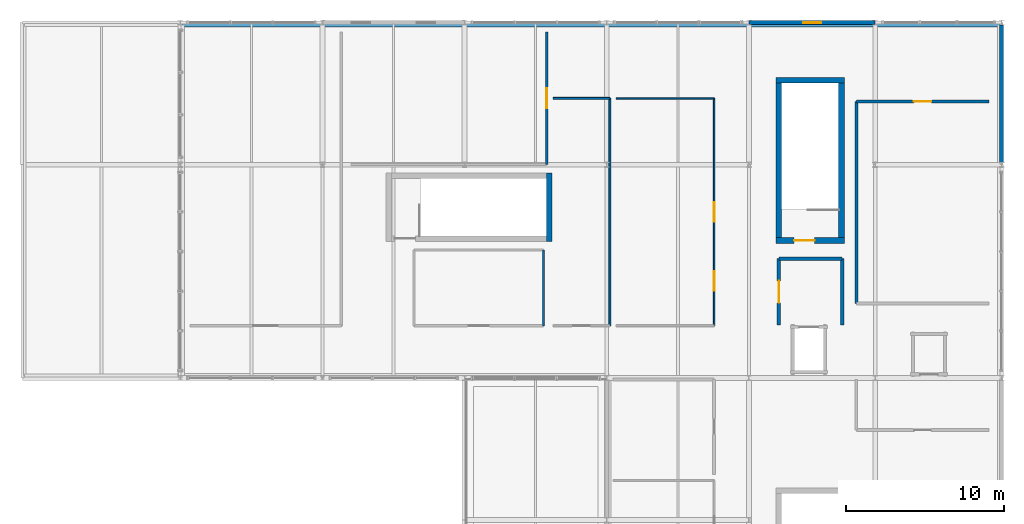
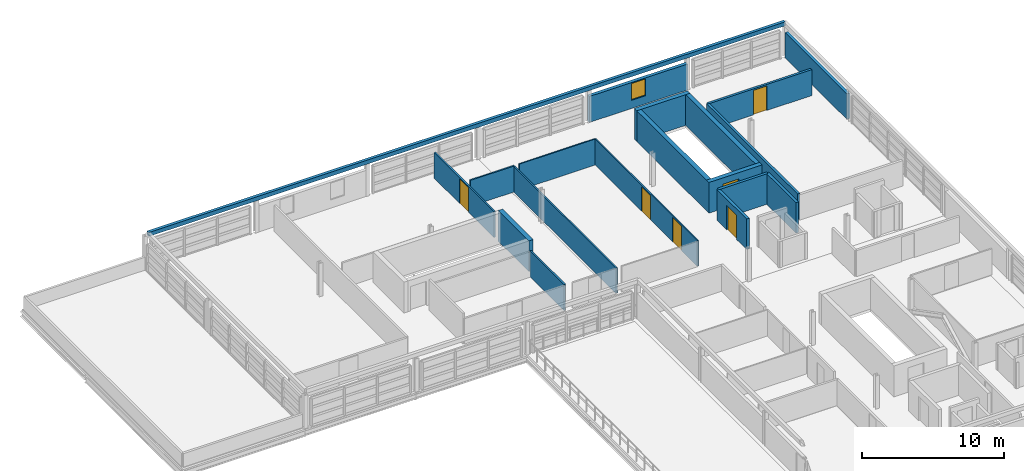
# One storey, part 26 of 27: 19 walls, 6 doors, 1 window, 7 openings.
"""IFC4 building model written with IfcOpenShell, lengths in metres."""

from ifc_helpers import new_model, si_unit, direction, frame, frame_2d, origin, place, context, subcontext, project, spatial, rectangle, extrude, material, layer, layer_set, type_object, element, fill, save


model = new_model("IFC4")

# Units and contexts
model_context = context("Model", 3, precision=1e-05, world=origin(), true_north=direction((0.0, 1.0)))
body_context = subcontext(model_context, "Body", "Model", "MODEL_VIEW")
ifc_project = project(units=[si_unit("LENGTHUNIT", "METRE"), si_unit("AREAUNIT", "SQUARE_METRE"), si_unit("VOLUMEUNIT", "CUBIC_METRE"), si_unit("PLANEANGLEUNIT", "RADIAN"), si_unit("MASSUNIT", "GRAM", prefix="KILO")], contexts=[model_context])

# Site, building, storey
site_placement = place(None, origin())
site = spatial("IfcSite", under=ifc_project, at=site_placement, CompositionType="ELEMENT")
building_placement = place(site_placement, origin())
building = spatial("IfcBuilding", under=site, at=building_placement, Name="Chuanluo Vaults Station", CompositionType="ELEMENT")
storey_placement = place(building_placement, frame((0.0, 0.0, 20.800048828125)))
storey = spatial("IfcBuildingStorey", under=building, at=storey_placement, Name="L05", CompositionType="ELEMENT", Elevation=20.800048828125)

# Walls
ifc_material_1 = material(Name="Concrete C50", Category="concrete")
ifc_layer_1 = layer(ifc_material_1, 0.35009765625)
ifc_layer_set_1 = layer_set([ifc_layer_1], Name="Concrete C50")
wall_type_1 = type_object("IfcWallType", Name="WL-COR-350", PredefinedType="SHEAR", material=ifc_layer_set_1)
for number, where, z_axis, x_axis, name in (
    (1, (177.862548828125, 112.02490234375, 0.0), (0.0, 0.0, 1.0), (0.0, 1.0, 0.0), "Core K2 left shear wall"),
    (2, (173.892578125, 122.5224609375, 0.0), (0.0, 0.0, 1.0), (0.0, -1.0, 0.0), "Core K2 right shear wall"),
):
    element("IfcWall", number, at=place(storey_placement, frame(where, z_axis=z_axis, x_axis=x_axis)), inside=storey, type_object=wall_type_1, Name=name, PredefinedType="SHEAR", context=body_context, shape_type="SweptSolid", body=[
        extrude(rectangle(XDim=10.49755859375, YDim=0.35009765625, at=frame_2d((5.248779296875, 0.0))), origin(), (0.0, 0.0, 1.0), 2.64501953125),
    ])
wall_1_placement = place(storey_placement, frame((178.03759765625, 122.347412109375, 0.0), z_axis=(0.0, 0.0, 1.0), x_axis=(-1.0, 0.0, 0.0)))
element("IfcWall", 3, at=wall_1_placement, inside=storey, type_object=wall_type_1, Name="Core K2 far shear wall", PredefinedType="SHEAR", context=body_context, shape_type="SweptSolid", body=[
    extrude(rectangle(XDim=4.320068359375, YDim=0.35009765625, at=frame_2d((2.16015625, 0.0))), origin(), (0.0, 0.0, 1.0), 2.64501953125),
])

# Wall, opening, door
wall_2_placement = place(storey_placement, frame((173.717529296875, 112.199951171875, 0.0), z_axis=(0.0, 0.0, 1.0), x_axis=(1.0, 0.0, 0.0)))
wall_2 = element("IfcWall", 4, at=wall_2_placement, inside=storey, type_object=wall_type_1, Name="Core K2 near shear wall", PredefinedType="SHEAR", context=body_context, shape_type="SweptSolid", body=[
    extrude(rectangle(XDim=4.320068359375, YDim=0.35009765625, at=frame_2d((2.16015625, 0.0))), origin(), (0.0, 0.0, 1.0), 2.64501953125),
])
opening_1_placement = place(wall_2_placement, frame((1.14990234375, 0.0, 0.0)))
opening_1 = element("IfcOpeningElement", 5, at=opening_1_placement, cuts=wall_2, Name="Opening FD-05", PredefinedType="OPENING", context=body_context, shape_type="SweptSolid", body=[
    extrude(rectangle(XDim=1.300048828125, YDim=2.10009765625, at=frame_2d((0.64990234375, 1.050048828125))), frame((0.0, 0.18505, 0.0), z_axis=(0.0, -1.0, 0.0), x_axis=(1.0, 0.0, 0.0)), (0.0, 0.0, 1.0), 0.3701),
])
ifc_material_2 = material(Name="Fire-rated steel leaf", Category="steel")
door_type_1 = type_object("IfcDoorType", Name="DR-FIR-1300x2100", OperationType="NOTDEFINED", PredefinedType="DOOR", material=ifc_material_2)
door_1_placement = place(opening_1_placement, origin())
door_1 = element("IfcDoor", 6, at=door_1_placement, inside=storey, type_object=door_type_1, Name="D-071 Stair ST-02 fire door", OperationType="SINGLE_SWING_RIGHT", OverallHeight=2.10009765625, OverallWidth=1.300048828125, PredefinedType="DOOR", context=body_context, shape_type="SweptSolid", body=[
    extrude(rectangle(XDim=1.300048828125, YDim=2.10009765625, at=frame_2d((0.64990234375, 1.050048828125))), frame((0.0, 0.02490234375, 0.0), z_axis=(0.0, -1.0, 0.0), x_axis=(1.0, 0.0, 0.0)), (0.0, 0.0, 1.0), 0.050048828125),
])
fill(opening_1, door_1)

# Walls
wall_3_placement = place(storey_placement, frame((159.347412109375, 112.14990234375, 0.0), z_axis=(0.0, 0.0, 1.0), x_axis=(0.0, 1.0, 0.0)))
element("IfcWall", 7, at=wall_3_placement, inside=storey, type_object=wall_type_1, Name="Core K3 far shear wall", PredefinedType="SHEAR", context=body_context, shape_type="SweptSolid", body=[
    extrude(rectangle(XDim=4.320068359375, YDim=0.35009765625, at=frame_2d((2.16015625, 0.0))), origin(), (0.0, 0.0, 1.0), 2.64501953125),
])
ifc_material_3 = material(Name="Concrete C40", Category="concrete")
ifc_layer_2 = layer(ifc_material_3, 0.2451171875)
ifc_layer_set_2 = layer_set([ifc_layer_2], Name="Concrete C40")
wall_type_2 = type_object("IfcWallType", Name="WL-EXT-245", PredefinedType="SOLIDWALL", material=ifc_layer_set_2)
wall_4_placement = place(storey_placement, frame((188.0, 125.85009765625, 0.0), z_axis=(0.0, 0.0, 1.0), x_axis=(0.0, -1.0, 0.0)))
element("IfcWall", 8, at=wall_4_placement, inside=storey, type_object=wall_type_2, Name="L05 exterior punched wall 36", PredefinedType="SOLIDWALL", context=body_context, shape_type="SweptSolid", body=[
    extrude(rectangle(XDim=8.7001953125, YDim=0.2451171875, at=frame_2d((4.35009765625, 0.0))), origin(), (0.0, 0.0, 1.0), 2.179931640625),
])

# Wall, opening, window
ifc_material_4 = material(Name="Concrete C40", Category="concrete")
ifc_layer_3 = layer(ifc_material_4, 0.260009765625)
ifc_layer_set_3 = layer_set([ifc_layer_3], Name="Concrete C40")
wall_type_3 = type_object("IfcWallType", Name="WL-EXT-260", PredefinedType="SOLIDWALL", material=ifc_layer_set_3)
wall_5_placement = place(storey_placement, frame((172.0048828125, 126.0, 0.0), z_axis=(0.0, 0.0, 1.0), x_axis=(1.0, 0.0, 0.0)))
wall_5 = element("IfcWall", 9, at=wall_5_placement, inside=storey, type_object=wall_type_3, Name="L05 exterior punched wall 30", PredefinedType="SOLIDWALL", context=body_context, shape_type="SweptSolid", body=[
    extrude(rectangle(XDim=7.990234375, YDim=0.260009765625, at=frame_2d((3.9951171875, 0.0))), origin(), (0.0, 0.0, 1.0), 2.22998046875),
])
opening_2_placement = place(wall_5_placement, frame((3.419921875, 0.0, 0.699951171875)))
opening_2 = element("IfcOpeningElement", 10, at=opening_2_placement, cuts=wall_5, Name="Opening W-49", PredefinedType="OPENING", context=body_context, shape_type="SweptSolid", body=[
    extrude(rectangle(XDim=1.14990234375, YDim=1.449951171875, at=frame_2d((0.574951171875, 0.72509765625))), frame((0.0, 0.13988, 0.0), z_axis=(0.0, -1.0, 0.0), x_axis=(1.0, 0.0, 0.0)), (0.0, 0.0, 1.0), 0.28001),
])
ifc_material_5 = material(Name="Double-silver Low-E laminated glass", Category="glass")
window_type = type_object("IfcWindowType", Name="WN-OPS-1150x1450", PartitioningType="SINGLE_PANEL", PredefinedType="WINDOW", material=ifc_material_5)
window_placement = place(opening_2_placement, origin())
window = element("IfcWindow", 11, at=window_placement, inside=storey, type_object=window_type, Name="W-107 L05 facade window", OverallHeight=1.449951171875, OverallWidth=1.14990234375, PartitioningType="SINGLE_PANEL", PredefinedType="WINDOW", context=body_context, shape_type="SweptSolid", body=[
    extrude(rectangle(XDim=1.14990234375, YDim=1.449951171875, at=frame_2d((0.574951171875, 0.72509765625))), frame((0.0, 0.030029296875, 0.0), z_axis=(0.0, -1.0, 0.0), x_axis=(1.0, 0.0, 0.0)), (0.0, 0.0, 1.0), 0.06005859375),
])
fill(opening_2, window)

# Wall
ifc_material_6 = material(Name="Concrete C40", Category="concrete")
ifc_layer_4 = layer(ifc_material_6, 0.219970703125)
ifc_layer_set_4 = layer_set([ifc_layer_4], Name="Concrete C40")
wall_type_4 = type_object("IfcWallType", Name="WL-FIR-220", PredefinedType="SOLIDWALL", material=ifc_layer_set_4)
wall_6_placement = place(storey_placement, frame((173.89990234375, 111.050048828125, 0.0), z_axis=(0.0, 0.0, 1.0), x_axis=(1.0, 0.0, 0.0)))
element("IfcWall", 12, at=wall_6_placement, inside=storey, type_object=wall_type_4, Name="L05-FFL-K2 Firefighting Lift Lobby FFL-02 L05 N partition", PredefinedType="SOLIDWALL", context=body_context, shape_type="SweptSolid", body=[
    extrude(rectangle(XDim=4.0, YDim=0.219970703125, at=frame_2d((2.0, 0.0))), origin(), (0.0, 0.0, 1.0), 2.619873046875),
])

# Wall, opening, door
wall_7_placement = place(storey_placement, frame((173.89990234375, 106.85009765625, 0.0), z_axis=(0.0, 0.0, 1.0), x_axis=(0.0, 1.0, 0.0)))
wall_7 = element("IfcWall", 13, at=wall_7_placement, inside=storey, type_object=wall_type_4, Name="L05-FFL-K2 Firefighting Lift Lobby FFL-02 L05 W partition", PredefinedType="SOLIDWALL", context=body_context, shape_type="SweptSolid", body=[
    extrude(rectangle(XDim=4.199951171875, YDim=0.219970703125, at=frame_2d((2.10009765625, 0.0))), origin(), (0.0, 0.0, 1.0), 2.619873046875),
])
opening_3_placement = place(wall_7_placement, frame((1.39990234375, 0.0, 0.0)))
opening_3 = element("IfcOpeningElement", 14, at=opening_3_placement, cuts=wall_7, Name="Opening FD-04", PredefinedType="OPENING", context=body_context, shape_type="SweptSolid", body=[
    extrude(rectangle(XDim=1.39990234375, YDim=2.10009765625, at=frame_2d((0.699951171875, 1.050048828125))), frame((0.0, 0.11986, 0.0), z_axis=(0.0, -1.0, 0.0), x_axis=(1.0, 0.0, 0.0)), (0.0, 0.0, 1.0), 0.23997),
])
ifc_material_7 = material(Name="Fire-rated steel leaf", Category="steel")
door_type_2 = type_object("IfcDoorType", Name="DR-FIR-1400x2100", OperationType="NOTDEFINED", PredefinedType="DOOR", material=ifc_material_7)
door_2_placement = place(opening_3_placement, origin())
door_2 = element("IfcDoor", 15, at=door_2_placement, inside=storey, type_object=door_type_2, Name="D-280 Firefighting Lift Lobby FFL-02 L05 door", OperationType="SINGLE_SWING_LEFT", OverallHeight=2.10009765625, OverallWidth=1.39990234375, PredefinedType="DOOR", context=body_context, shape_type="SweptSolid", body=[
    extrude(rectangle(XDim=1.39990234375, YDim=2.10009765625, at=frame_2d((0.699951171875, 1.050048828125))), frame((0.0, 0.02490234375, 0.0), z_axis=(0.0, -1.0, 0.0), x_axis=(1.0, 0.0, 0.0)), (0.0, 0.0, 1.0), 0.050048828125),
])
fill(opening_3, door_2)

# Walls
wall_8_placement = place(storey_placement, frame((177.89990234375, 111.050048828125, 0.0), z_axis=(0.0, 0.0, 1.0), x_axis=(0.0, -1.0, 0.0)))
element("IfcWall", 16, at=wall_8_placement, inside=storey, type_object=wall_type_4, Name="L05-FFL-K2 Firefighting Lift Lobby FFL-02 L05 E partition", PredefinedType="SOLIDWALL", context=body_context, shape_type="SweptSolid", body=[
    extrude(rectangle(XDim=4.199951171875, YDim=0.219970703125, at=frame_2d((2.10009765625, 0.0))), origin(), (0.0, 0.0, 1.0), 2.619873046875),
])
ifc_material_8 = material(Name="Concrete C40", Category="concrete")
ifc_layer_5 = layer(ifc_material_8, 0.239990234375)
ifc_layer_set_5 = layer_set([ifc_layer_5], Name="Concrete C40")
wall_type_5 = type_object("IfcWallType", Name="WL-PAR-240", PredefinedType="PARAPET", material=ifc_layer_set_5)
wall_9_placement = place(storey_placement, frame((187.85009765625, 125.85009765625, 2.849853515625), z_axis=(0.0, 0.0, 1.0), x_axis=(-1.0, 0.0, 0.0)))
element("IfcWall", 17, at=wall_9_placement, inside=storey, type_object=wall_type_5, Name="L05 roof parapet wall 21", PredefinedType="PARAPET", context=body_context, shape_type="SweptSolid", body=[
    extrude(rectangle(XDim=51.7001953125, YDim=0.239990234375, at=frame_2d((25.85009765625, 0.0))), origin(), (0.0, 0.0, 1.0), 0.340087890625),
])
ifc_material_9 = material(Name="Masonry blockwork M10", Category="masonry")
ifc_layer_6 = layer(ifc_material_9, 0.10009765625)
ifc_layer_set_6 = layer_set([ifc_layer_6], Name="Masonry blockwork M10")
wall_type_6 = type_object("IfcWallType", Name="WL-PRT-100", PredefinedType="PARTITIONING", material=ifc_layer_set_6)
wall_10_placement = place(storey_placement, frame((163.60009765625, 121.199951171875, 0.0), z_axis=(0.0, 0.0, 1.0), x_axis=(1.0, 0.0, 0.0)))
element("IfcWall", 18, at=wall_10_placement, inside=storey, type_object=wall_type_6, Name="L05-03 Executive Boardroom N partition", PredefinedType="PARTITIONING", context=body_context, shape_type="SweptSolid", body=[
    extrude(rectangle(XDim=6.199951171875, YDim=0.10009765625, at=frame_2d((3.10009765625, 0.0))), origin(), (0.0, 0.0, 1.0), 2.22998046875),
])

# Wall, openings, doors
wall_11_placement = place(storey_placement, frame((169.800048828125, 121.199951171875, 0.0), z_axis=(0.0, 0.0, 1.0), x_axis=(0.0, -1.0, 0.0)))
wall_11 = element("IfcWall", 19, at=wall_11_placement, inside=storey, type_object=wall_type_6, Name="L05-03 Executive Boardroom E partition", PredefinedType="PARTITIONING", context=body_context, shape_type="SweptSolid", body=[
    extrude(rectangle(XDim=14.39990234375, YDim=0.10009765625, at=frame_2d((7.199951171875, 0.0))), origin(), (0.0, 0.0, 1.0), 2.22998046875),
])
opening_4_placement = place(wall_11_placement, frame((6.574951171875, 0.0, 0.0)))
opening_4 = element("IfcOpeningElement", 20, at=opening_4_placement, cuts=wall_11, Name="Opening D-I05", PredefinedType="OPENING", context=body_context, shape_type="SweptSolid", body=[
    extrude(rectangle(XDim=1.25, YDim=2.10009765625, at=frame_2d((0.625, 1.050048828125))), frame((0.0, 0.06005, 0.0), z_axis=(0.0, -1.0, 0.0), x_axis=(1.0, 0.0, 0.0)), (0.0, 0.0, 1.0), 0.1201),
])
opening_5_placement = place(wall_11_placement, frame((10.944091796875, 0.0, 0.0)))
opening_5 = element("IfcOpeningElement", 21, at=opening_5_placement, cuts=wall_11, Name="Opening D-I05", PredefinedType="OPENING", context=body_context, shape_type="SweptSolid", body=[
    extrude(rectangle(XDim=1.25, YDim=2.10009765625, at=frame_2d((0.625, 1.050048828125))), frame((0.0, 0.06005, 0.0), z_axis=(0.0, -1.0, 0.0), x_axis=(1.0, 0.0, 0.0)), (0.0, 0.0, 1.0), 0.1201),
])
ifc_material_10 = material(Name="Anodised aluminium 6063-T6", Category="aluminium")
door_type_3 = type_object("IfcDoorType", Name="DR-INT-1250x2100", OperationType="NOTDEFINED", PredefinedType="DOOR", material=ifc_material_10)
door_3_placement = place(opening_4_placement, origin())
door_3 = element("IfcDoor", 22, at=door_3_placement, inside=storey, type_object=door_type_3, Name="D-257 Executive Boardroom door", OperationType="SINGLE_SWING_RIGHT", OverallHeight=2.10009765625, OverallWidth=1.25, PredefinedType="DOOR", context=body_context, shape_type="SweptSolid", body=[
    extrude(rectangle(XDim=1.25, YDim=2.10009765625, at=frame_2d((0.625, 1.050048828125))), frame((0.0, 0.02490234375, 0.0), z_axis=(0.0, -1.0, 0.0), x_axis=(1.0, 0.0, 0.0)), (0.0, 0.0, 1.0), 0.050048828125),
])
fill(opening_4, door_3)
door_4_placement = place(opening_5_placement, origin())
door_4 = element("IfcDoor", 23, at=door_4_placement, inside=storey, type_object=door_type_3, Name="D-258 Executive Boardroom secondary exit door", OperationType="SINGLE_SWING_LEFT", OverallHeight=2.10009765625, OverallWidth=1.25, PredefinedType="DOOR", context=body_context, shape_type="SweptSolid", body=[
    extrude(rectangle(XDim=1.25, YDim=2.10009765625, at=frame_2d((0.625, 1.050048828125))), frame((0.0, 0.02490234375, 0.0), z_axis=(0.0, -1.0, 0.0), x_axis=(1.0, 0.0, 0.0)), (0.0, 0.0, 1.0), 0.050048828125),
])
fill(opening_5, door_4)

# Walls
ifc_material_11 = material(Name="Masonry blockwork M10", Category="masonry")
ifc_layer_7 = layer(ifc_material_11, 0.1201171875)
ifc_layer_set_7 = layer_set([ifc_layer_7], Name="Masonry blockwork M10")
wall_type_7 = type_object("IfcWallType", Name="WL-PRT-120", PredefinedType="PARTITIONING", material=ifc_layer_set_7)
wall_12_placement = place(storey_placement, frame((159.60009765625, 121.199951171875, 0.0), z_axis=(0.0, 0.0, 1.0), x_axis=(1.0, 0.0, 0.0)))
element("IfcWall", 24, at=wall_12_placement, inside=storey, type_object=wall_type_7, Name="L05-02B Executive Operations Planning Office N partition", PredefinedType="PARTITIONING", context=body_context, shape_type="SweptSolid", body=[
    extrude(rectangle(XDim=3.599853515625, YDim=0.1201171875, at=frame_2d((1.7998046875, 0.0))), origin(), (0.0, 0.0, 1.0), 2.22998046875),
])
wall_13_placement = place(storey_placement, frame((163.199951171875, 121.199951171875, 0.0), z_axis=(0.0, 0.0, 1.0), x_axis=(0.0, -1.0, 0.0)))
element("IfcWall", 25, at=wall_13_placement, inside=storey, type_object=wall_type_7, Name="L05-02B Executive Operations Planning Office E partition", PredefinedType="PARTITIONING", context=body_context, shape_type="SweptSolid", body=[
    extrude(rectangle(XDim=14.39990234375, YDim=0.1201171875, at=frame_2d((7.199951171875, 0.0))), origin(), (0.0, 0.0, 1.0), 2.179931640625),
])

# Wall, opening, door
ifc_material_12 = material(Name="Masonry blockwork M10", Category="masonry")
ifc_layer_8 = layer(ifc_material_12, 0.1298828125)
ifc_layer_set_8 = layer_set([ifc_layer_8], Name="Masonry blockwork M10")
wall_type_8 = type_object("IfcWallType", Name="WL-PRT-130", PredefinedType="PARTITIONING", material=ifc_layer_set_8)
wall_14_placement = place(storey_placement, frame((159.199951171875, 125.39990234375, 0.0), z_axis=(0.0, 0.0, 1.0), x_axis=(0.0, -1.0, 0.0)))
wall_14 = element("IfcWall", 26, at=wall_14_placement, inside=storey, type_object=wall_type_8, Name="L05-02 Station Director and Executive Suite E partition", PredefinedType="PARTITIONING", context=body_context, shape_type="SweptSolid", body=[
    extrude(rectangle(XDim=8.39990234375, YDim=0.1298828125, at=frame_2d((4.199951171875, 0.0))), origin(), (0.0, 0.0, 1.0), 2.219970703125),
])
opening_6_placement = place(wall_14_placement, frame((3.574951171875, 0.0, 0.0)))
opening_6 = element("IfcOpeningElement", 27, at=opening_6_placement, cuts=wall_14, Name="Opening D-I05", PredefinedType="OPENING", context=body_context, shape_type="SweptSolid", body=[
    extrude(rectangle(XDim=1.25, YDim=2.10009765625, at=frame_2d((0.625, 1.050048828125))), frame((0.0, 0.07494, 0.0), z_axis=(0.0, -1.0, 0.0), x_axis=(1.0, 0.0, 0.0)), (0.0, 0.0, 1.0), 0.14988),
])
door_5_placement = place(opening_6_placement, origin())
door_5 = element("IfcDoor", 28, at=door_5_placement, inside=storey, type_object=door_type_3, Name="D-255 Station Director and Executive Suite door", OperationType="SINGLE_SWING_RIGHT", OverallHeight=2.10009765625, OverallWidth=1.25, PredefinedType="DOOR", context=body_context, shape_type="SweptSolid", body=[
    extrude(rectangle(XDim=1.25, YDim=2.10009765625, at=frame_2d((0.625, 1.050048828125))), frame((0.0, 0.02490234375, 0.0), z_axis=(0.0, -1.0, 0.0), x_axis=(1.0, 0.0, 0.0)), (0.0, 0.0, 1.0), 0.050048828125),
])
fill(opening_6, door_5)

# Wall
ifc_material_13 = material(Name="Autoclaved aerated concrete blockwork MU10", Category="masonry")
ifc_layer_9 = layer(ifc_material_13, 0.139892578125)
ifc_layer_set_9 = layer_set([ifc_layer_9], Name="Autoclaved aerated concrete blockwork MU10")
wall_type_9 = type_object("IfcWallType", Name="WL-PRT-140", PredefinedType="PARTITIONING", material=ifc_layer_set_9)
wall_15_placement = place(storey_placement, frame((159.0, 111.60009765625, 0.0), z_axis=(0.0, 0.0, 1.0), x_axis=(0.0, -1.0, 0.0)))
element("IfcWall", 29, at=wall_15_placement, inside=storey, type_object=wall_type_9, Name="L05-01C Training Seminar Classroom E partition", PredefinedType="PARTITIONING", context=body_context, shape_type="SweptSolid", body=[
    extrude(rectangle(XDim=4.800048828125, YDim=0.139892578125, at=frame_2d((2.39990234375, 0.0))), origin(), (0.0, 0.0, 1.0), 2.219970703125),
])

# Wall, opening, door
ifc_material_14 = material(Name="Autoclaved aerated concrete blockwork MU10", Category="masonry")
ifc_layer_10 = layer(ifc_material_14, 0.18994140625)
ifc_layer_set_10 = layer_set([ifc_layer_10], Name="Autoclaved aerated concrete blockwork MU10")
wall_type_10 = type_object("IfcWallType", Name="WL-PRT-190", PredefinedType="PARTITIONING", material=ifc_layer_set_10)
wall_16_placement = place(storey_placement, frame((178.800048828125, 121.0, 0.0), z_axis=(0.0, 0.0, 1.0), x_axis=(1.0, 0.0, 0.0)))
wall_16 = element("IfcWall", 30, at=wall_16_placement, inside=storey, type_object=wall_type_10, Name="L05-03B East Archives and Technical Library N partition", PredefinedType="PARTITIONING", context=body_context, shape_type="SweptSolid", body=[
    extrude(rectangle(XDim=8.39990234375, YDim=0.18994140625, at=frame_2d((4.199951171875, 0.0))), origin(), (0.0, 0.0, 1.0), 2.22998046875),
])
opening_7_placement = place(wall_16_placement, frame((3.64990234375, 0.0, 0.0)))
opening_7 = element("IfcOpeningElement", 31, at=opening_7_placement, cuts=wall_16, Name="Opening FD-07", PredefinedType="OPENING", context=body_context, shape_type="SweptSolid", body=[
    extrude(rectangle(XDim=1.10009765625, YDim=2.10009765625, at=frame_2d((0.550048828125, 1.050048828125))), frame((0.0, 0.10497, 0.0), z_axis=(0.0, -1.0, 0.0), x_axis=(1.0, 0.0, 0.0)), (0.0, 0.0, 1.0), 0.20994),
])
ifc_material_15 = material(Name="Fire-rated steel leaf", Category="steel")
door_type_4 = type_object("IfcDoorType", Name="DR-FIR-1100x2100", OperationType="NOTDEFINED", PredefinedType="DOOR", material=ifc_material_15)
door_6_placement = place(opening_7_placement, origin())
door_6 = element("IfcDoor", 32, at=door_6_placement, inside=storey, type_object=door_type_4, Name="D-259 East Archives and Technical Library door", OperationType="SINGLE_SWING_RIGHT", OverallHeight=2.10009765625, OverallWidth=1.10009765625, PredefinedType="DOOR", context=body_context, shape_type="SweptSolid", body=[
    extrude(rectangle(XDim=1.10009765625, YDim=2.10009765625, at=frame_2d((0.550048828125, 1.050048828125))), frame((0.0, 0.02490234375, 0.0), z_axis=(0.0, -1.0, 0.0), x_axis=(1.0, 0.0, 0.0)), (0.0, 0.0, 1.0), 0.050048828125),
])
fill(opening_7, door_6)

# Wall
wall_17_placement = place(storey_placement, frame((178.800048828125, 108.199951171875, 0.0), z_axis=(0.0, 0.0, 1.0), x_axis=(0.0, 1.0, 0.0)))
element("IfcWall", 33, at=wall_17_placement, inside=storey, type_object=wall_type_10, Name="L05-03B East Archives and Technical Library W partition", PredefinedType="PARTITIONING", context=body_context, shape_type="SweptSolid", body=[
    extrude(rectangle(XDim=12.800048828125, YDim=0.18994140625, at=frame_2d((6.39990234375, 0.0))), origin(), (0.0, 0.0, 1.0), 2.22998046875),
])

save(model, "model.ifc")
